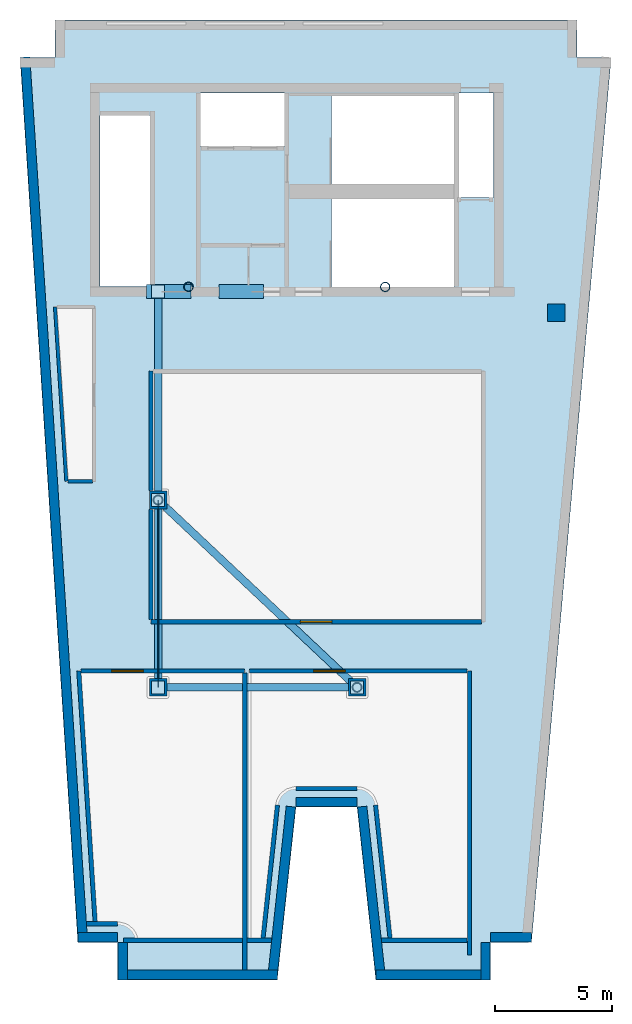
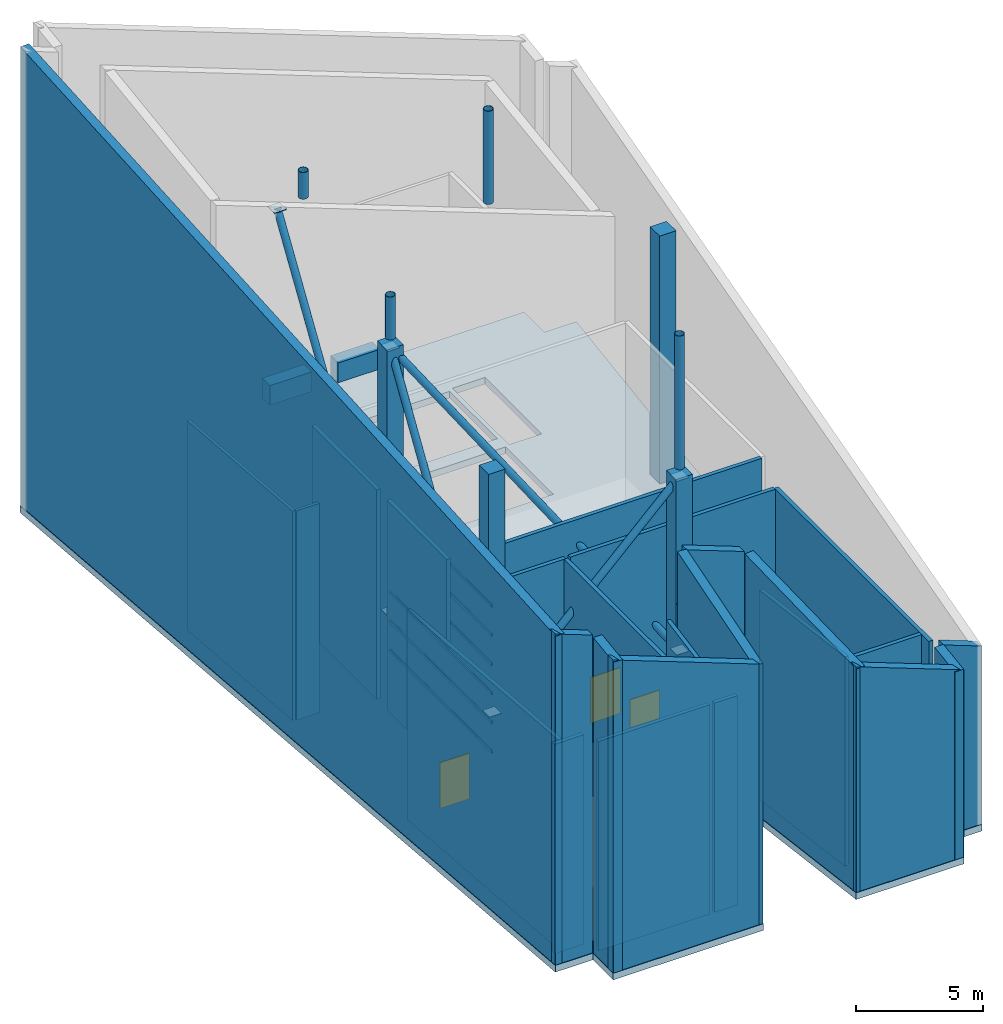
# One storey, part 1 of 3: 27 walls, 10 members, 8 columns, 6 plates, 3 doors, 2 beams, 1 slab, 3 openings.
"""IFC4 building model written with IfcOpenShell, lengths in metres."""

import ifcopenshell
import ifcopenshell.guid

model = None  # the IFC model being written
_history = None  # IfcOwnerHistory: only IFC2X3 demands one
_inside = {}  # id of a spatial element -> (the spatial element, [elements in it])
_under = {}  # id of a project, library or spatial element -> (it, [spatial elements below it])
_declared = {}  # id of a project -> (the project, [libraries it declares])
_typed = {}  # id of a type object -> (the type object, [elements of that type])
_made_of = {}  # id of a material, layer set ... -> (it, [elements and type objects made of it])


def new_model(schema):
    """Start an empty IFC model of exactly this schema.

    Asked for "IFC4X3", IfcOpenShell would pick the latest addendum, in which some entities
    have other attributes; the version numbers below select the first issue.
    IFC2X3 requires an IfcOwnerHistory on every rooted entity: one is made here for all.
    """
    global model, _history
    if schema == "IFC4X3":
        model = ifcopenshell.file(schema_version=(4, 3, 0, 0))
    else:
        model = ifcopenshell.file(schema=schema)
    _inside.clear()
    _under.clear()
    _declared.clear()
    _typed.clear()
    _made_of.clear()
    _history = None
    if model.schema == "IFC2X3":
        org = make("IfcOrganization", Name="unknown")
        user = make(
            "IfcPersonAndOrganization",
            ThePerson=make("IfcPerson", FamilyName="unknown"),
            TheOrganization=org,
        )
        app = make(
            "IfcApplication",
            ApplicationDeveloper=org,
            Version="unknown",
            ApplicationFullName="unknown",
            ApplicationIdentifier="unknown",
        )
        _history = make(
            "IfcOwnerHistory",
            OwningUser=user,
            OwningApplication=app,
            ChangeAction="ADDED",
            CreationDate=0,
        )
    return model


def make(cls, **values):
    """One entity of the class cls with the attributes given. An attribute that is None is left unset."""
    return model.create_entity(
        cls, **{name: value for name, value in values.items() if value is not None}
    )


def rooted(cls, **values):
    """An entity with a GlobalId (a new one), such as an element, a storey or a relation."""
    return make(cls, GlobalId=ifcopenshell.guid.new(), OwnerHistory=_history, **values)


def si_unit(unit_type, name, prefix=None):
    """IfcSIUnit, for example si_unit("LENGTHUNIT", "METRE", prefix="MILLI")."""
    return make("IfcSIUnit", UnitType=unit_type, Prefix=prefix, Name=name)


def assignment(units):
    """IfcUnitAssignment: the units of a project."""
    return None if units is None else make("IfcUnitAssignment", Units=units)


def point(xyz):
    """IfcCartesianPoint."""
    return None if xyz is None else make("IfcCartesianPoint", Coordinates=xyz)


def direction(xyz):
    """IfcDirection."""
    return None if xyz is None else make("IfcDirection", DirectionRatios=xyz)


def frame(location, z_axis=None, x_axis=None):
    """IfcAxis2Placement3D, a coordinate frame: its origin and axes. An axis left out is left unset."""
    return make(
        "IfcAxis2Placement3D",
        Location=point(location),
        Axis=direction(z_axis),
        RefDirection=direction(x_axis),
    )


def frame_2d(location, x_axis=None):
    """IfcAxis2Placement2D, a coordinate frame in the plane: its origin and x axis."""
    return make(
        "IfcAxis2Placement2D", Location=point(location), RefDirection=direction(x_axis)
    )


def origin():
    """The frame at (0, 0, 0) with its axes left unset."""
    return frame((0.0, 0.0, 0.0))


def origin_2d():
    """The frame at (0, 0) in the plane with its x axis left unset."""
    return frame_2d((0.0, 0.0))


def place(relative_to, where):
    """IfcLocalPlacement: puts the frame where relative to a parent placement (None: the world)."""
    return make(
        "IfcLocalPlacement", PlacementRelTo=relative_to, RelativePlacement=where
    )


def context(
    kind, dimensions, precision=None, world=None, true_north=None, identifier=None
):
    """IfcGeometricRepresentationContext, for example the 3D "Model" context."""
    return make(
        "IfcGeometricRepresentationContext",
        ContextIdentifier=identifier,
        ContextType=kind,
        CoordinateSpaceDimension=dimensions,
        Precision=precision,
        WorldCoordinateSystem=world,
        TrueNorth=true_north,
    )


def subcontext(parent, identifier, kind, view, scale=None):
    """IfcGeometricRepresentationSubContext, for example "Body" below "Model"."""
    return make(
        "IfcGeometricRepresentationSubContext",
        ContextIdentifier=identifier,
        ContextType=kind,
        ParentContext=parent,
        TargetScale=scale,
        TargetView=view,
    )


def project(units=None, contexts=None):
    """IfcProject with its units and contexts."""
    return rooted(
        "IfcProject",
        Name="project",
        RepresentationContexts=contexts,
        UnitsInContext=assignment(units),
    )


def spatial(cls, under=None, at=None, **own):
    """A site, building, storey or space (cls), placed at a placement, below another one or the project."""
    s = rooted(cls, ObjectPlacement=at, **own)
    if under is not None:
        _under.setdefault(under.id(), (under, []))[1].append(s)
    return s


def polyline(points):
    """IfcPolyline through the points."""
    return make("IfcPolyline", Points=[point(p) for p in points])


def profile(cls, at=None, kind="AREA", **sizes):
    """A parametric profile (cls). Its sizes go by their IFC names, for example OverallWidth=200.0."""
    return make(cls, ProfileType=kind, Position=at, **sizes)


def rectangle(**sizes):
    """IfcRectangleProfileDef."""
    return profile("IfcRectangleProfileDef", **sizes)


def hollow_rectangle(**sizes):
    """IfcRectangleHollowProfileDef."""
    return profile("IfcRectangleHollowProfileDef", **sizes)


def hollow_circle(**sizes):
    """IfcCircleHollowProfileDef."""
    return profile("IfcCircleHollowProfileDef", **sizes)


def outline(outer, holes=None, kind="AREA"):
    """IfcArbitraryClosedProfileDef: a profile drawn as a closed curve; with holes, ...WithVoids."""
    if holes is None:
        return make("IfcArbitraryClosedProfileDef", ProfileType=kind, OuterCurve=outer)
    return make(
        "IfcArbitraryProfileDefWithVoids",
        ProfileType=kind,
        OuterCurve=outer,
        InnerCurves=holes,
    )


def extrude(swept, where, along, depth):
    """IfcExtrudedAreaSolid: the profile swept, set in the frame where, extruded along a direction by depth."""
    return make(
        "IfcExtrudedAreaSolid",
        SweptArea=swept,
        Position=where,
        ExtrudedDirection=direction(along),
        Depth=depth,
    )


def shape(context_of_items, identifier, shape_type, items):
    """IfcShapeRepresentation: the items that make up one representation, for example the "Body"."""
    return make(
        "IfcShapeRepresentation",
        ContextOfItems=context_of_items,
        RepresentationIdentifier=identifier,
        RepresentationType=shape_type,
        Items=items,
    )


def material(Name=None, Category=None):
    """IfcMaterial."""
    return make("IfcMaterial", Name=Name, Category=Category)


def layer(
    of_material, thickness, ventilated=None, Name=None, Category=None, Priority=None
):
    """IfcMaterialLayer: one layer of a wall or slab, of a material (None: an air gap)."""
    return make(
        "IfcMaterialLayer",
        Material=of_material,
        LayerThickness=thickness,
        IsVentilated=ventilated,
        Name=Name,
        Category=Category,
        Priority=Priority,
    )


def layer_set(layers, Name=None):
    """IfcMaterialLayerSet."""
    return make("IfcMaterialLayerSet", MaterialLayers=layers, LayerSetName=Name)


def material_profile(
    of_material, cross_section, Name=None, Category=None, Priority=None
):
    """IfcMaterialProfile: a cross section and its material."""
    return make(
        "IfcMaterialProfile",
        Name=Name,
        Material=of_material,
        Profile=cross_section,
        Priority=Priority,
        Category=Category,
    )


def profile_set(profiles, Name=None, composite=None):
    """IfcMaterialProfileSet."""
    return make(
        "IfcMaterialProfileSet",
        Name=Name,
        MaterialProfiles=profiles,
        CompositeProfile=composite,
    )


def made_of(thing, what):
    """Note that an element or type object is made of a material, layer set ...; save() writes the relation."""
    if what is not None:
        _made_of.setdefault(what.id(), (what, []))[1].append(thing)
    return thing


def type_object(cls, material=None, **own):
    """A type object (cls), such as IfcWallType, which elements share."""
    return made_of(rooted(cls, **own), material)


def element(
    cls,
    number,
    at=None,
    inside=None,
    cuts=None,
    type_object=None,
    material=None,
    context=None,
    identifier="Body",
    shape_type=None,
    held_by="IfcProductDefinitionShape",
    body=None,
    shapes=None,
    **own,
):
    """One element of the class cls, such as IfcWall. Its Tag is "e" and its number.

    at: its placement. inside: the storey or other place that contains it. cuts: it is an
    opening in that element (IfcRelVoidsElement). A single representation is given by context,
    identifier, shape_type and body (its items); several are given by shapes. held_by: the class
    of the entity that holds the representations. save() writes the other relations.
    """
    e = rooted(cls, Tag="e%d" % number, ObjectPlacement=at, **own)
    if body is not None:
        shapes = [shape(context, identifier, shape_type, body)]
    if shapes is not None:
        e.Representation = make(held_by, Representations=shapes)
    if inside is not None:
        _inside.setdefault(inside.id(), (inside, []))[1].append(e)
    if cuts is not None:
        rooted(
            "IfcRelVoidsElement", RelatingBuildingElement=cuts, RelatedOpeningElement=e
        )
    if type_object is not None:
        _typed.setdefault(type_object.id(), (type_object, []))[1].append(e)
    return made_of(e, material)


def fill(opening, filler):
    """IfcRelFillsElement: the door or window that sits in an opening."""
    return rooted(
        "IfcRelFillsElement",
        RelatingOpeningElement=opening,
        RelatedBuildingElement=filler,
    )


def aggregate(whole, parts):
    """IfcRelAggregates: a whole, such as a stair, and the parts it consists of."""
    return rooted("IfcRelAggregates", RelatingObject=whole, RelatedObjects=parts)


def save(model, path):
    """Write the relations noted so far, then the file.

    IfcRelAggregates (storeys below a building ...), IfcRelContainedInSpatialStructure (elements
    in a storey), IfcRelDefinesByType, IfcRelAssociatesMaterial and IfcRelDeclares: one each for
    every whole, place, type object, material and project.
    """
    for whole, parts in _under.values():
        aggregate(whole, parts)
    for where, things in _inside.values():
        rooted(
            "IfcRelContainedInSpatialStructure",
            RelatedElements=things,
            RelatingStructure=where,
        )
    for kind, things in _typed.values():
        rooted("IfcRelDefinesByType", RelatedObjects=things, RelatingType=kind)
    for what, things in _made_of.values():
        rooted("IfcRelAssociatesMaterial", RelatedObjects=things, RelatingMaterial=what)
    for by, libraries in _declared.values():
        rooted("IfcRelDeclares", RelatingContext=by, RelatedDefinitions=libraries)
    model.write(path)


model = new_model("IFC4")

# Units and contexts
model_context = context("Model", 3, precision=1e-05, world=origin(), true_north=direction((0.0, 1.0)))
body_context = subcontext(model_context, "Body", "Model", "MODEL_VIEW")
ifc_project = project(units=[si_unit("LENGTHUNIT", "METRE"), si_unit("AREAUNIT", "SQUARE_METRE"), si_unit("VOLUMEUNIT", "CUBIC_METRE"), si_unit("PLANEANGLEUNIT", "RADIAN"), si_unit("MASSUNIT", "GRAM", prefix="KILO")], contexts=[model_context])

# Site, building, storey
site_placement = place(None, origin())
site = spatial("IfcSite", under=ifc_project, at=site_placement, CompositionType="ELEMENT")
building_placement = place(site_placement, origin())
building = spatial("IfcBuilding", under=site, at=building_placement, Name="Caeloran Harvest Quay", CompositionType="ELEMENT")
storey_placement = place(building_placement, frame((0.0, 0.0, 324.050048828125)))
storey = spatial("IfcBuildingStorey", under=building, at=storey_placement, Name="L78", CompositionType="ELEMENT", Elevation=324.050048828125)

# Columns
ifc_material_1 = material(Name="Steel S355J2", Category="steel")
ifc_material_profile_1 = material_profile(ifc_material_1, hollow_circle(Radius=0.203125, WallThickness=0.02001953125, at=origin_2d()), Name="CHS 406.4x20")
ifc_profile_set_1 = profile_set([ifc_material_profile_1], Name="Steel S355J2")
column_type_1 = type_object("IfcColumnType", Name="COL-CC-2-CHS_406.4x20", PredefinedType="COLUMN", material=ifc_profile_set_1)
column_1_placement = place(storey_placement, frame((9.800048828125, 32.10009765625, 18.26806640625), z_axis=(0.0, 0.0, 1.0), x_axis=(1.0, 0.0, 0.0)))
element("IfcColumn", 1, at=column_1_placement, inside=storey, type_object=column_type_1, Name="Crown Lantern Deck Support Post 1", PredefinedType="COLUMN", context=body_context, shape_type="SweptSolid", body=[
    extrude(hollow_circle(Radius=0.203125, WallThickness=0.02001953125, at=origin_2d()), origin(), (0.0, 0.0, 1.0), 1.281982421875),
])
column_2_placement = place(storey_placement, frame((18.199951171875, 32.10009765625, 15.075927734375), z_axis=(0.0, 0.0, 1.0), x_axis=(1.0, 0.0, 0.0)))
element("IfcColumn", 2, at=column_2_placement, inside=storey, type_object=column_type_1, Name="Crown Lantern Deck Support Post 2", PredefinedType="COLUMN", context=body_context, shape_type="SweptSolid", body=[
    extrude(hollow_circle(Radius=0.203125, WallThickness=0.02001953125, at=origin_2d()), origin(), (0.0, 0.0, 1.0), 4.47412109375),
])
column_3_placement = place(storey_placement, frame((8.5, 23.0, 17.488037109375), z_axis=(0.0, 0.0, 1.0), x_axis=(1.0, 0.0, 0.0)))
element("IfcColumn", 3, at=column_3_placement, inside=storey, type_object=column_type_1, Name="Crown Lantern Deck Support Post 3", PredefinedType="COLUMN", context=body_context, shape_type="SweptSolid", body=[
    extrude(hollow_circle(Radius=0.203125, WallThickness=0.02001953125, at=origin_2d()), origin(), (0.0, 0.0, 1.0), 2.06201171875),
])
column_4_placement = place(storey_placement, frame((17.0, 15.0, 13.137939453125), z_axis=(0.0, 0.0, 1.0), x_axis=(1.0, 0.0, 0.0)))
element("IfcColumn", 4, at=column_4_placement, inside=storey, type_object=column_type_1, Name="Crown Lantern Deck Support Post 4", PredefinedType="COLUMN", context=body_context, shape_type="SweptSolid", body=[
    extrude(hollow_circle(Radius=0.203125, WallThickness=0.02001953125, at=origin_2d()), origin(), (0.0, 0.0, 1.0), 6.412109375),
])
ifc_material_2 = material(Name="Concrete C60/75", Category="concrete")
ifc_material_profile_2 = material_profile(ifc_material_2, rectangle(XDim=0.75, YDim=0.75, at=origin_2d()), Name="RC 750x750")
ifc_profile_set_2 = profile_set([ifc_material_profile_2], Name="Concrete C60/75")
column_type_2 = type_object("IfcColumnType", Name="COL-MC-5-RC_750x750", PredefinedType="COLUMN", material=ifc_profile_set_2)
column_5_placement = place(storey_placement, frame((8.5, 15.0, 0.0), z_axis=(0.0, 0.0, 1.0), x_axis=(1.0, 0.0, 0.0)))
element("IfcColumn", 5, at=column_5_placement, inside=storey, type_object=column_type_2, Name="L78 Structural Column (8.5, 15.0)", PredefinedType="COLUMN", context=body_context, shape_type="SweptSolid", body=[
    extrude(rectangle(XDim=0.75, YDim=0.75, at=origin_2d()), origin(), (0.0, 0.0, 1.0), 16.10791015625),
])
column_6_placement = place(storey_placement, frame((8.5, 23.0, 0.0), z_axis=(0.0, 0.0, 1.0), x_axis=(1.0, 0.0, 0.0)))
element("IfcColumn", 6, at=column_6_placement, inside=storey, type_object=column_type_2, Name="L78 Structural Column (8.5, 23.0)", PredefinedType="COLUMN", context=body_context, shape_type="SweptSolid", body=[
    extrude(rectangle(XDim=0.75, YDim=0.75, at=origin_2d()), origin(), (0.0, 0.0, 1.0), 17.22802734375),
])
column_7_placement = place(storey_placement, frame((17.0, 15.0, 0.0), z_axis=(0.0, 0.0, 1.0), x_axis=(1.0, 0.0, 0.0)))
element("IfcColumn", 7, at=column_7_placement, inside=storey, type_object=column_type_2, Name="L78 Structural Column (17.0, 15.0)", PredefinedType="COLUMN", context=body_context, shape_type="SweptSolid", body=[
    extrude(rectangle(XDim=0.75, YDim=0.75, at=origin_2d()), origin(), (0.0, 0.0, 1.0), 12.8779296875),
])
column_8_placement = place(storey_placement, frame((25.5, 31.0, 0.0), z_axis=(0.0, 0.0, 1.0), x_axis=(1.0, 0.0, 0.0)))
element("IfcColumn", 8, at=column_8_placement, inside=storey, type_object=column_type_2, Name="L78 Structural Column (25.5, 31.0)", PredefinedType="COLUMN", context=body_context, shape_type="SweptSolid", body=[
    extrude(rectangle(XDim=0.75, YDim=0.75, at=origin_2d()), origin(), (0.0, 0.0, 1.0), 11.887939453125),
])

# Beams
ifc_material_profile_3 = material_profile(ifc_material_2, rectangle(XDim=0.60009765625, YDim=0.949951171875, at=origin_2d()), Name="RC 600x950")
ifc_profile_set_3 = profile_set([ifc_material_profile_3], Name="Concrete C60/75")
beam_type = type_object("IfcBeamType", Name="BM-CB-2-RC_600x950", PredefinedType="LINTEL", material=ifc_profile_set_3)
for number, where, z_axis, x_axis, name in (
    (9, (8.0, 31.89990234375, 9.64501953125), (1.0, 0.0, 0.0), (0.0, 1.0, 0.0), "L78 Core Coupling Beam 1"),
    (10, (11.10009765625, 31.89990234375, 9.64501953125), (1.0, 0.0, 0.0), (0.0, 1.0, 0.0), "L78 Core Coupling Beam 2"),
):
    element("IfcBeam", number, at=place(storey_placement, frame(where, z_axis=z_axis, x_axis=x_axis)), inside=storey, type_object=beam_type, Name=name, PredefinedType="LINTEL", context=body_context, shape_type="SweptSolid", body=[
        extrude(rectangle(XDim=0.60009765625, YDim=0.949951171875, at=origin_2d()), origin(), (0.0, 0.0, 1.0), 1.89990234375),
    ])

# Members
ifc_material_profile_4 = material_profile(ifc_material_1, hollow_circle(Radius=0.161865234375, WallThickness=0.01611328125, at=origin_2d()), Name="CHS 323.9x16")
ifc_profile_set_4 = profile_set([ifc_material_profile_4], Name="Steel S355J2")
member_type_1 = type_object("IfcMemberType", Name="MEM-CR-1-CHS_323.9x16", PredefinedType="STRUT", material=ifc_profile_set_4)
member_1_placement = place(storey_placement, frame((8.5, 15.0, 4.349853515625), z_axis=(0.0, 0.533351056735, 0.845893994706), x_axis=(-1.0, 0.0, 0.0)))
element("IfcMember", 11, at=member_1_placement, inside=storey, type_object=member_type_1, Name="CROWN FRAME Raking Tubular Strut CRK-1", PredefinedType="STRUT", context=body_context, shape_type="SweptSolid", body=[
    extrude(hollow_circle(Radius=0.161865234375, WallThickness=0.01611328125, at=origin_2d()), origin(), (0.0, 0.0, 1.0), 14.99951171875),
])
member_2_placement = place(storey_placement, frame((8.5, 15.0, 4.349853515625), z_axis=(0.713871225282, 0.0, 0.700276997847), x_axis=(0.0, 1.0, 0.0)))
element("IfcMember", 12, at=member_2_placement, inside=storey, type_object=member_type_1, Name="CROWN FRAME Raking Tubular Strut CRK-2", PredefinedType="STRUT", context=body_context, shape_type="SweptSolid", body=[
    extrude(hollow_circle(Radius=0.161865234375, WallThickness=0.01611328125, at=origin_2d()), origin(), (0.0, 0.0, 1.0), 11.906982421875),
])
member_3_placement = place(storey_placement, frame((8.5, 23.0, 4.349853515625), z_axis=(0.0, 0.538284995688, 0.842762874964), x_axis=(-1.0, 0.0, 0.0)))
element("IfcMember", 13, at=member_3_placement, inside=storey, type_object=member_type_1, Name="CROWN FRAME Raking Tubular Strut CRK-3", PredefinedType="STRUT", context=body_context, shape_type="SweptSolid", body=[
    extrude(hollow_circle(Radius=0.161865234375, WallThickness=0.01611328125, at=origin_2d()), origin(), (0.0, 0.0, 1.0), 16.53369140625),
])
member_4_placement = place(storey_placement, frame((17.0, 15.0, 4.349853515625), z_axis=(-0.493024973125, 0.464023504117, 0.735940597808), x_axis=(-0.685364699005, -0.728199992693, 0.0)))
element("IfcMember", 14, at=member_4_placement, inside=storey, type_object=member_type_1, Name="CROWN FRAME Raking Tubular Strut CRK-4", PredefinedType="STRUT", context=body_context, shape_type="SweptSolid", body=[
    extrude(hollow_circle(Radius=0.161865234375, WallThickness=0.01611328125, at=origin_2d()), origin(), (0.0, 0.0, 1.0), 17.240478515625),
])
ifc_material_profile_5 = material_profile(ifc_material_1, hollow_rectangle(XDim=0.06494140625, YDim=0.159912109375, WallThickness=0.0048828125, InnerFilletRadius=0.0048828125, OuterFilletRadius=0.007568359375, at=origin_2d()), Name="RHS 160x65x5")
ifc_profile_set_5 = profile_set([ifc_material_profile_5], Name="Steel S355J2")
member_type_2 = type_object("IfcMemberType", Name="MEM-CR-3-RHS_160x65x5", PredefinedType="MEMBER", material=ifc_profile_set_5)
for number, where, z_axis, x_axis, name in (
    (15, (8.5, 15.0, 2.449951171875), (0.0, 1.0, 0.0), (-1.0, 0.0, 0.0), "CROWN FRAME Screen Framing Member 1"),
    (16, (8.5, 15.0, 3.849853515625), (0.0, 1.0, 0.0), (-1.0, 0.0, 0.0), "CROWN FRAME Screen Framing Member 2"),
    (17, (8.5, 15.0, 5.25), (0.0, 1.0, 0.0), (-1.0, 0.0, 0.0), "CROWN FRAME Screen Framing Member 3"),
    (18, (8.5, 15.0, 6.64990234375), (0.0, 1.0, 0.0), (-1.0, 0.0, 0.0), "CROWN FRAME Screen Framing Member 4"),
    (19, (8.5, 15.0, 8.050048828125), (0.0, 1.0, 0.0), (-1.0, 0.0, 0.0), "CROWN FRAME Screen Framing Member 5"),
    (20, (8.5, 15.0, 9.449951171875), (0.0, 1.0, 0.0), (-1.0, 0.0, 0.0), "CROWN FRAME Screen Framing Member 6"),
):
    element("IfcMember", number, at=place(storey_placement, frame(where, z_axis=z_axis, x_axis=x_axis)), inside=storey, type_object=member_type_2, Name=name, PredefinedType="MEMBER", context=body_context, shape_type="SweptSolid", body=[
        extrude(hollow_rectangle(XDim=0.06494140625, YDim=0.159912109375, WallThickness=0.0048828125, InnerFilletRadius=0.0048828125, OuterFilletRadius=0.007568359375, at=origin_2d()), origin(), (0.0, 0.0, 1.0), 8.0),
    ])

# Plates
ifc_material_3 = material(Name="Steel HISTAR 460", Category="steel")
ifc_layer_1 = layer(ifc_material_3, 0.034912109375, Name="Steel HISTAR 460")
ifc_layer_set_1 = layer_set([ifc_layer_1], Name="Steel HISTAR 460")
plate_type = type_object("IfcPlateType", Name="PLT-KN1-35MM", PredefinedType="SHEET", material=ifc_layer_set_1)
for number, where, z_axis, x_axis, name in (
    (21, (8.5, 15.0, 4.33251953125), (0.0, 0.0, 1.0), (1.0, 0.0, 0.0), "CROWN FRAME Raking Strut End Cap Plate CRK-1 BOT"),
    (22, (8.5, 23.0, 17.0205078125), (0.0, 0.0, 1.0), (1.0, 0.0, 0.0), "CROWN FRAME Raking Strut End Cap Plate CRK-1 TOP"),
    (23, (17.0, 15.0, 12.67041015625), (0.0, 0.0, 1.0), (1.0, 0.0, 0.0), "CROWN FRAME Raking Strut End Cap Plate CRK-2 TOP"),
    (24, (8.5, 23.0, 4.33251953125), (0.0, 0.0, 1.0), (1.0, 0.0, 0.0), "CROWN FRAME Raking Strut End Cap Plate CRK-3 BOT"),
    (25, (8.5, 31.89990234375, 18.2666015625), (0.0, 0.0, 1.0), (1.0, 0.0, 0.0), "CROWN FRAME Raking Strut End Cap Plate CRK-3 TOP"),
    (26, (17.0, 15.0, 4.33251953125), (0.0, 0.0, 1.0), (1.0, 0.0, 0.0), "CROWN FRAME Raking Strut End Cap Plate CRK-4 BOT"),
):
    element("IfcPlate", number, at=place(storey_placement, frame(where, z_axis=z_axis, x_axis=x_axis)), inside=storey, type_object=plate_type, Name=name, PredefinedType="SHEET", context=body_context, shape_type="SweptSolid", body=[
        extrude(rectangle(XDim=0.550048828125, YDim=0.550048828125, at=origin_2d()), origin(), (0.0, 0.0, 1.0), 0.034912109375),
    ])

# Slab
ifc_material_4 = material(Name="Concrete C50/60", Category="concrete")
ifc_layer_2 = layer(ifc_material_4, 0.320068359375, Name="Concrete C50/60")
ifc_layer_set_2 = layer_set([ifc_layer_2], Name="Concrete C50/60")
slab_type = type_object("IfcSlabType", Name="SLAB-FS-320", PredefinedType="FLOOR", material=ifc_layer_set_2)
slab_placement = place(storey_placement, frame((0.0, 0.0, -0.320068359375)))
element("IfcSlab", 27, at=slab_placement, inside=storey, type_object=slab_type, Name="L78 Structural Floor Slab", PredefinedType="FLOOR", context=body_context, shape_type="SweptSolid", body=[
    extrude(outline(polyline([(6.777587890625, 2.5), (13.592529296875, 2.5), (14.392578125, 9.8798828125), (17.0, 9.8798828125), (17.800048828125, 2.5), (22.702392578125, 2.5), (22.702392578125, 4.10009765625), (24.44677734375, 4.10009765625), (27.855712890625, 41.89990234375), (26.39990234375, 41.89990234375), (26.39990234375, 43.5), (4.10009765625, 43.5), (4.10009765625, 41.89990234375), (2.6044921875, 41.89990234375), (5.072998046875, 4.10009765625), (6.777587890625, 4.10009765625), (6.777587890625, 2.5)]), holes=[polyline([(21.14990234375, 32.10009765625), (15.89990234375, 32.10009765625), (15.89990234375, 35.85009765625), (21.14990234375, 35.85009765625), (21.14990234375, 32.10009765625)]), polyline([(8.159912109375, 39.419921875), (8.159912109375, 32.1201171875), (6.02001953125, 32.1201171875), (6.02001953125, 39.419921875), (8.159912109375, 39.419921875)]), polyline([(22.830078125, 40.3798828125), (22.830078125, 35.919921875), (21.35009765625, 35.919921875), (21.35009765625, 40.3798828125), (22.830078125, 40.3798828125)]), polyline([(15.89990234375, 36.5), (15.89990234375, 40.25), (21.14990234375, 40.25), (21.14990234375, 36.5), (15.89990234375, 36.5)]), polyline([(13.89990234375, 38.1201171875), (10.320068359375, 38.1201171875), (10.320068359375, 40.3798828125), (13.89990234375, 40.3798828125), (13.89990234375, 38.1201171875)])]), origin(), (0.0, 0.0, 1.0), 0.320068359375),
])

# Walls
ifc_material_5 = material(Name="Moisture-Resistant Cement-Board Sanitary Partition", Category="gypsum")
ifc_layer_3 = layer(ifc_material_5, 0.139892578125, Name="Moisture-Resistant Cement-Board Sanitary Partition")
ifc_layer_set_3 = layer_set([ifc_layer_3], Name="Moisture-Resistant Cement-Board Sanitary Partition")
wall_type_1 = type_object("IfcWallType", Name="INT-WALL-PW-140", PredefinedType="PARTITIONING", material=ifc_layer_set_3)
wall_1_placement = place(storey_placement, frame((4.587890625, 23.800048828125, 0.0), z_axis=(0.0, 0.0, 1.0), x_axis=(-0.06507559791, 0.997880336792, 0.0)))
element("IfcWall", 28, at=wall_1_placement, inside=storey, type_object=wall_type_1, Name="L78 Maintenance Staff Accessible WC Partition Wall", PredefinedType="PARTITIONING", context=body_context, shape_type="SweptSolid", body=[
    extrude(rectangle(XDim=7.4658203125, YDim=0.139892578125, at=frame_2d((3.73291015625, 0.0))), origin(), (0.0, 0.0, 1.0), 10.050048828125),
])
wall_2_placement = place(storey_placement, frame((5.705078125, 23.800048828125, 0.0), z_axis=(0.0, 0.0, 1.0), x_axis=(-1.0, 0.0, 0.0)))
element("IfcWall", 29, at=wall_2_placement, inside=storey, type_object=wall_type_1, Name="L78 Maintenance Staff Accessible WC Partition Wall", PredefinedType="PARTITIONING", context=body_context, shape_type="SweptSolid", body=[
    extrude(rectangle(XDim=1.045166015625, YDim=0.139892578125, at=frame_2d((0.5224609375, 0.0))), origin(), (0.0, 0.0, 1.0), 10.050048828125),
])

# Wall, opening, door
ifc_material_6 = material(Name="Autoclaved Aerated Concrete Blockwork", Category="masonry")
ifc_layer_4 = layer(ifc_material_6, 0.179931640625, Name="Autoclaved Aerated Concrete Blockwork")
ifc_layer_set_4 = layer_set([ifc_layer_4], Name="Autoclaved Aerated Concrete Blockwork")
wall_type_2 = type_object("IfcWallType", Name="INT-WALL-PW-180", PredefinedType="PARTITIONING", material=ifc_layer_set_4)
wall_3_placement = place(storey_placement, frame((22.304931640625, 17.800048828125, 0.0), z_axis=(0.0, 0.0, 1.0), x_axis=(-1.0, 0.0, 0.0)))
wall_3 = element("IfcWall", 30, at=wall_3_placement, inside=storey, type_object=wall_type_2, Name="Crown Rainwater Harvesting Storage and Gravity Header Tank Room Partition Wall", PredefinedType="PARTITIONING", context=body_context, shape_type="SweptSolid", body=[
    extrude(rectangle(XDim=14.10498046875, YDim=0.179931640625, at=frame_2d((7.052490234375, 0.0))), origin(), (0.0, 0.0, 1.0), 10.050048828125),
])
opening_1_placement = place(wall_3_placement, frame((6.37744140625, 0.0, 0.0)))
opening_1 = element("IfcOpeningElement", 31, at=opening_1_placement, cuts=wall_3, Name="Opening ID-02", PredefinedType="OPENING", context=body_context, shape_type="SweptSolid", body=[
    extrude(rectangle(XDim=1.35009765625, YDim=2.199951171875, at=frame_2d((0.675048828125, 1.10009765625))), frame((0.0, 0.10009765625, 0.0), z_axis=(0.0, -1.0, 0.0), x_axis=(1.0, 0.0, 0.0)), (0.0, 0.0, 1.0), 0.199951171875),
])
ifc_material_7 = material(Name="Powder-Coated Steel Acoustic Leaf", Category="steel")
door_type = type_object("IfcDoorType", Name="INTDOOR-ID-02", OperationType="NOTDEFINED", PredefinedType="DOOR", material=ifc_material_7)
door_1_placement = place(opening_1_placement, origin())
door_1 = element("IfcDoor", 32, at=door_1_placement, inside=storey, type_object=door_type, Name="Crown Rainwater Harvesting Storage and Gravity Header Tank Room Access Door", OperationType="SINGLE_SWING_RIGHT", OverallHeight=2.199951171875, OverallWidth=1.35009765625, PredefinedType="DOOR", context=body_context, shape_type="SweptSolid", body=[
    extrude(rectangle(XDim=1.35009765625, YDim=2.199951171875, at=frame_2d((0.675048828125, 1.10009765625))), frame((0.0, 0.02490234375, 0.0), z_axis=(0.0, -1.0, 0.0), x_axis=(1.0, 0.0, 0.0)), (0.0, 0.0, 1.0), 0.050048828125),
])
fill(opening_1, door_1)

# Walls
wall_4_placement = place(storey_placement, frame((8.199951171875, 17.89501953125, 0.0), z_axis=(0.0, 0.0, 1.0), x_axis=(0.0, 1.0, 0.0)))
element("IfcWall", 33, at=wall_4_placement, inside=storey, type_object=wall_type_2, Name="Crown Rainwater Harvesting Storage and Gravity Header Tank Room Partition Wall", PredefinedType="PARTITIONING", context=body_context, shape_type="SweptSolid", body=[
    extrude(rectangle(XDim=4.705078125, YDim=0.179931640625, at=frame_2d((2.3525390625, 0.0))), origin(), (0.0, 0.0, 1.0), 10.050048828125),
])
wall_5_placement = place(storey_placement, frame((8.199951171875, 23.39990234375, 0.0), z_axis=(0.0, 0.0, 1.0), x_axis=(0.0, 1.0, 0.0)))
element("IfcWall", 34, at=wall_5_placement, inside=storey, type_object=wall_type_2, Name="Crown Rainwater Harvesting Storage and Gravity Header Tank Room Partition Wall", PredefinedType="PARTITIONING", context=body_context, shape_type="SweptSolid", body=[
    extrude(rectangle(XDim=5.10009765625, YDim=0.179931640625, at=frame_2d((2.550048828125, 0.0))), origin(), (0.0, 0.0, 1.0), 10.050048828125),
])
wall_6_placement = place(storey_placement, frame((6.777099609375, 4.89990234375, 0.0), z_axis=(0.0, 0.0, 1.0), x_axis=(-1.0, 0.0, 0.0)))
element("IfcWall", 35, at=wall_6_placement, inside=storey, type_object=wall_type_2, Name="Crown High-Zone Chiller Heat-Recovery and AHU Plant Room Partition Wall", PredefinedType="PARTITIONING", context=body_context, shape_type="SweptSolid", body=[
    extrude(rectangle(XDim=1.33056640625, YDim=0.179931640625, at=frame_2d((0.665283203125, 0.0))), origin(), (0.0, 0.0, 1.0), 10.050048828125),
])
wall_7_placement = place(storey_placement, frame((5.81591796875, 4.9951171875, 0.0), z_axis=(0.0, 0.0, 1.0), x_axis=(-0.065156482611, 0.997875058699, 0.0)))
element("IfcWall", 36, at=wall_7_placement, inside=storey, type_object=wall_type_2, Name="Crown High-Zone Chiller Heat-Recovery and AHU Plant Room Partition Wall", PredefinedType="PARTITIONING", context=body_context, shape_type="SweptSolid", body=[
    extrude(rectangle(XDim=10.7275390625, YDim=0.179931640625, at=frame_2d((5.36376953125, 0.0))), origin(), (0.0, 0.0, 1.0), 10.050048828125),
])

# Wall, opening, door
wall_8_placement = place(storey_placement, frame((5.212158203125, 15.699951171875, 0.0), z_axis=(0.0, 0.0, 1.0), x_axis=(1.0, 0.0, 0.0)))
wall_8 = element("IfcWall", 37, at=wall_8_placement, inside=storey, type_object=wall_type_2, Name="Crown High-Zone Chiller Heat-Recovery and AHU Plant Room Partition Wall", PredefinedType="PARTITIONING", context=body_context, shape_type="SweptSolid", body=[
    extrude(rectangle(XDim=6.98779296875, YDim=0.179931640625, at=frame_2d((3.493896484375, 0.0))), origin(), (0.0, 0.0, 1.0), 10.050048828125),
])
opening_2_placement = place(wall_8_placement, frame((1.3076171875, 0.0, 0.0)))
opening_2 = element("IfcOpeningElement", 38, at=opening_2_placement, cuts=wall_8, Name="Opening ID-02", PredefinedType="OPENING", context=body_context, shape_type="SweptSolid", body=[
    extrude(rectangle(XDim=1.35009765625, YDim=2.199951171875, at=frame_2d((0.675048828125, 1.10009765625))), frame((0.0, 0.10009765625, 0.0), z_axis=(0.0, -1.0, 0.0), x_axis=(1.0, 0.0, 0.0)), (0.0, 0.0, 1.0), 0.199951171875),
])
door_2_placement = place(opening_2_placement, origin())
door_2 = element("IfcDoor", 39, at=door_2_placement, inside=storey, type_object=door_type, Name="Crown High-Zone Chiller Heat-Recovery and AHU Plant Room Access Door", OperationType="SINGLE_SWING_LEFT", OverallHeight=2.199951171875, OverallWidth=1.35009765625, PredefinedType="DOOR", context=body_context, shape_type="SweptSolid", body=[
    extrude(rectangle(XDim=1.35009765625, YDim=2.199951171875, at=frame_2d((0.675048828125, 1.10009765625))), frame((0.0, 0.02490234375, 0.0), z_axis=(0.0, -1.0, 0.0), x_axis=(1.0, 0.0, 0.0)), (0.0, 0.0, 1.0), 0.050048828125),
])
fill(opening_2, door_2)

# Walls
wall_9_placement = place(storey_placement, frame((12.199951171875, 15.60498046875, 0.0), z_axis=(0.0, 0.0, 1.0), x_axis=(0.0, -1.0, 0.0)))
element("IfcWall", 40, at=wall_9_placement, inside=storey, type_object=wall_type_2, Name="Crown High-Zone Chiller Heat-Recovery and AHU Plant Room Partition Wall", PredefinedType="PARTITIONING", context=body_context, shape_type="SweptSolid", body=[
    extrude(rectangle(XDim=12.679931640625, YDim=0.179931640625, at=frame_2d((6.33984375, 0.0))), origin(), (0.0, 0.0, 1.0), 10.050048828125),
])
wall_10_placement = place(storey_placement, frame((13.349365234375, 4.199951171875, 0.0), z_axis=(0.0, 0.0, 1.0), x_axis=(-1.0, 0.0, 0.0)))
element("IfcWall", 41, at=wall_10_placement, inside=storey, type_object=wall_type_2, Name="Crown High-Zone Chiller Heat-Recovery and AHU Plant Room Partition Wall", PredefinedType="PARTITIONING", context=body_context, shape_type="SweptSolid", body=[
    extrude(rectangle(XDim=1.054443359375, YDim=0.179931640625, at=frame_2d((0.52734375, 0.0))), origin(), (0.0, 0.0, 1.0), 10.050048828125),
])
wall_11_placement = place(storey_placement, frame((12.10498046875, 4.199951171875, 0.0), z_axis=(0.0, 0.0, 1.0), x_axis=(-1.0, 0.0, 0.0)))
element("IfcWall", 42, at=wall_11_placement, inside=storey, type_object=wall_type_2, Name="Crown High-Zone Chiller Heat-Recovery and AHU Plant Room Partition Wall", PredefinedType="PARTITIONING", context=body_context, shape_type="SweptSolid", body=[
    extrude(rectangle(XDim=5.07080078125, YDim=0.179931640625, at=frame_2d((2.535400390625, 0.0))), origin(), (0.0, 0.0, 1.0), 10.050048828125),
])
wall_12_placement = place(storey_placement, frame((21.800048828125, 15.699951171875, 0.0), z_axis=(0.0, 0.0, 1.0), x_axis=(0.0, -1.0, 0.0)))
element("IfcWall", 43, at=wall_12_placement, inside=storey, type_object=wall_type_2, Name="Crown Emergency Switchboard and Atrium Smoke-Extract Fan Room Partition Wall", PredefinedType="PARTITIONING", context=body_context, shape_type="SweptSolid", body=[
    extrude(rectangle(XDim=12.142822265625, YDim=0.179931640625, at=frame_2d((6.0712890625, 0.0))), origin(), (0.0, 0.0, 1.0), 10.050048828125),
])
wall_13_placement = place(storey_placement, frame((21.705078125, 4.199951171875, 0.0), z_axis=(0.0, 0.0, 1.0), x_axis=(-1.0, 0.0, 0.0)))
element("IfcWall", 44, at=wall_13_placement, inside=storey, type_object=wall_type_2, Name="Crown Emergency Switchboard and Atrium Smoke-Extract Fan Room Partition Wall", PredefinedType="PARTITIONING", context=body_context, shape_type="SweptSolid", body=[
    extrude(rectangle(XDim=3.661865234375, YDim=0.179931640625, at=frame_2d((1.8310546875, 0.0))), origin(), (0.0, 0.0, 1.0), 10.050048828125),
])
wall_14_placement = place(storey_placement, frame((18.40966796875, 4.294921875, 0.0), z_axis=(0.0, 0.0, 1.0), x_axis=(-0.107767679698, 0.994176104728, 0.0)))
element("IfcWall", 45, at=wall_14_placement, inside=storey, type_object=wall_type_2, Name="Crown Emergency Switchboard and Atrium Smoke-Extract Fan Room Partition Wall", PredefinedType="PARTITIONING", context=body_context, shape_type="SweptSolid", body=[
    extrude(rectangle(XDim=5.704345703125, YDim=0.179931640625, at=frame_2d((2.85205078125, 0.0))), origin(), (0.0, 0.0, 1.0), 10.050048828125),
])
wall_15_placement = place(storey_placement, frame((17.0, 10.679931640625, 0.0), z_axis=(0.0, 0.0, 1.0), x_axis=(-1.0, 0.0, 0.0)))
element("IfcWall", 46, at=wall_15_placement, inside=storey, type_object=wall_type_2, Name="Crown Emergency Switchboard and Atrium Smoke-Extract Fan Room Partition Wall", PredefinedType="PARTITIONING", context=body_context, shape_type="SweptSolid", body=[
    extrude(rectangle(XDim=2.60693359375, YDim=0.179931640625, at=frame_2d((1.303466796875, 0.0))), origin(), (0.0, 0.0, 1.0), 10.050048828125),
])
wall_16_placement = place(storey_placement, frame((13.596923828125, 9.966064453125, 0.0), z_axis=(0.0, 0.0, 1.0), x_axis=(-0.107725377547, -0.994180689328, 0.0)))
element("IfcWall", 47, at=wall_16_placement, inside=storey, type_object=wall_type_2, Name="Crown Emergency Switchboard and Atrium Smoke-Extract Fan Room Partition Wall", PredefinedType="PARTITIONING", context=body_context, shape_type="SweptSolid", body=[
    extrude(rectangle(XDim=5.704345703125, YDim=0.179931640625, at=frame_2d((2.85205078125, 0.0))), origin(), (0.0, 0.0, 1.0), 10.050048828125),
])

# Wall, opening, door
wall_17_placement = place(storey_placement, frame((12.39990234375, 15.699951171875, 0.0), z_axis=(0.0, 0.0, 1.0), x_axis=(1.0, 0.0, 0.0)))
wall_17 = element("IfcWall", 48, at=wall_17_placement, inside=storey, type_object=wall_type_2, Name="Crown Emergency Switchboard and Atrium Smoke-Extract Fan Room Partition Wall", PredefinedType="PARTITIONING", context=body_context, shape_type="SweptSolid", body=[
    extrude(rectangle(XDim=9.30517578125, YDim=0.179931640625, at=frame_2d((4.652587890625, 0.0))), origin(), (0.0, 0.0, 1.0), 10.050048828125),
])
opening_3_placement = place(wall_17_placement, frame((2.7431640625, 0.0, 0.0)))
opening_3 = element("IfcOpeningElement", 49, at=opening_3_placement, cuts=wall_17, Name="Opening ID-02", PredefinedType="OPENING", context=body_context, shape_type="SweptSolid", body=[
    extrude(rectangle(XDim=1.35009765625, YDim=2.199951171875, at=frame_2d((0.675048828125, 1.10009765625))), frame((0.0, 0.10009765625, 0.0), z_axis=(0.0, -1.0, 0.0), x_axis=(1.0, 0.0, 0.0)), (0.0, 0.0, 1.0), 0.199951171875),
])
door_3_placement = place(opening_3_placement, origin())
door_3 = element("IfcDoor", 50, at=door_3_placement, inside=storey, type_object=door_type, Name="Crown Emergency Switchboard and Atrium Smoke-Extract Fan Room Access Door", OperationType="SINGLE_SWING_RIGHT", OverallHeight=2.199951171875, OverallWidth=1.35009765625, PredefinedType="DOOR", context=body_context, shape_type="SweptSolid", body=[
    extrude(rectangle(XDim=1.35009765625, YDim=2.199951171875, at=frame_2d((0.675048828125, 1.10009765625))), frame((0.0, 0.02490234375, 0.0), z_axis=(0.0, -1.0, 0.0), x_axis=(1.0, 0.0, 0.0)), (0.0, 0.0, 1.0), 0.050048828125),
])
fill(opening_3, door_3)

# Walls
ifc_layer_5 = layer(ifc_material_2, 0.39990234375, Name="Concrete C60/75")
ifc_layer_set_5 = layer_set([ifc_layer_5], Name="Concrete C60/75")
wall_type_3 = type_object("IfcWallType", Name="STR-WALL-CW-400", PredefinedType="SHEAR", material=ifc_layer_set_5)
wall_18_placement = place(storey_placement, frame((6.777587890625, 2.719970703125, 0.0), z_axis=(0.0, 0.0, 1.0), x_axis=(1.0, 0.0, 0.0)))
element("IfcWall", 51, at=wall_18_placement, inside=storey, type_object=wall_type_3, Name="CROWN FRAME Sloped Architectural Concrete Enclosure Wall 1", PredefinedType="SHEAR", context=body_context, shape_type="SweptSolid", body=[
    extrude(outline(polyline([(0.0, 0.0), (6.81494140625, 0.0), (6.81494140625, 12.43359375), (0.0, 15.023193359375), (0.0, 0.0)])), frame((0.0, 0.199951171875, 0.0), z_axis=(0.0, -1.0, 0.0), x_axis=(1.0, 0.0, 0.0)), (0.0, 0.0, 1.0), 0.39990234375),
])
wall_19_placement = place(storey_placement, frame((13.373779296875, 2.523681640625, 0.0), z_axis=(0.0, 0.0, 1.0), x_axis=(0.107774412108, 0.994175374919, 0.0)))
element("IfcWall", 52, at=wall_19_placement, inside=storey, type_object=wall_type_3, Name="CROWN FRAME Sloped Architectural Concrete Enclosure Wall 2", PredefinedType="SHEAR", context=body_context, shape_type="SweptSolid", body=[
    extrude(outline(polyline([(0.0, 0.0), (7.42333984375, 0.0), (7.423095703125, 13.218505859375), (0.0, 12.4892578125), (0.0, 0.0)])), frame((0.0, 0.199951171875, 0.0), z_axis=(0.0, -1.0, 0.0), x_axis=(1.0, 0.0, 0.0)), (0.0, 0.0, 1.0), 0.39990234375),
])
wall_20_placement = place(storey_placement, frame((14.392578125, 10.10009765625, 0.0), z_axis=(0.0, 0.0, 1.0), x_axis=(1.0, 0.0, 0.0)))
element("IfcWall", 53, at=wall_20_placement, inside=storey, type_object=wall_type_3, Name="CROWN FRAME Sloped Architectural Concrete Enclosure Wall 3", PredefinedType="SHEAR", context=body_context, shape_type="SweptSolid", body=[
    extrude(outline(polyline([(0.0, 0.0), (2.607421875, 0.0), (2.607421875, 12.171875), (0.0, 13.162841796875), (0.0, 0.0)])), frame((0.0, 0.199951171875, 0.0), z_axis=(0.0, -1.0, 0.0), x_axis=(1.0, 0.0, 0.0)), (0.0, 0.0, 1.0), 0.39990234375),
])
wall_21_placement = place(storey_placement, frame((17.21875, 9.90380859375, 0.0), z_axis=(0.0, 0.0, 1.0), x_axis=(0.107774412108, -0.994175374919, 0.0)))
element("IfcWall", 54, at=wall_21_placement, inside=storey, type_object=wall_type_3, Name="CROWN FRAME Sloped Architectural Concrete Enclosure Wall 4", PredefinedType="SHEAR", context=body_context, shape_type="SweptSolid", body=[
    extrude(outline(polyline([(0.0, 0.0), (7.42333984375, 0.0), (7.423095703125, 10.72412109375), (0.0, 12.061279296875), (0.0, 0.0)])), frame((0.0, 0.199951171875, 0.0), z_axis=(0.0, -1.0, 0.0), x_axis=(1.0, 0.0, 0.0)), (0.0, 0.0, 1.0), 0.39990234375),
])
wall_22_placement = place(storey_placement, frame((17.800048828125, 2.719970703125, 0.0), z_axis=(0.0, 0.0, 1.0), x_axis=(1.0, 0.0, 0.0)))
element("IfcWall", 55, at=wall_22_placement, inside=storey, type_object=wall_type_3, Name="CROWN FRAME Sloped Architectural Concrete Enclosure Wall 5", PredefinedType="SHEAR", context=body_context, shape_type="SweptSolid", body=[
    extrude(outline(polyline([(0.0, 0.0), (4.90234375, 0.0), (4.902587890625, 8.971923828125), (0.0, 10.834716796875), (0.0, 0.0)])), frame((0.0, 0.199951171875, 0.0), z_axis=(0.0, -1.0, 0.0), x_axis=(1.0, 0.0, 0.0)), (0.0, 0.0, 1.0), 0.39990234375),
])
wall_23_placement = place(storey_placement, frame((22.482421875, 2.5, 0.0), z_axis=(0.0, 0.0, 1.0), x_axis=(0.0, 1.0, 0.0)))
element("IfcWall", 56, at=wall_23_placement, inside=storey, type_object=wall_type_3, Name="CROWN FRAME Sloped Architectural Concrete Enclosure Wall 6", PredefinedType="SHEAR", context=body_context, shape_type="SweptSolid", body=[
    extrude(outline(polyline([(0.0, 0.0), (1.60009765625, 0.0), (1.60009765625, 9.24853515625), (0.0, 9.024658203125), (0.0, 0.0)])), frame((0.0, 0.199951171875, 0.0), z_axis=(0.0, -1.0, 0.0), x_axis=(1.0, 0.0, 0.0)), (0.0, 0.0, 1.0), 0.39990234375),
])
wall_24_placement = place(storey_placement, frame((22.702392578125, 4.320068359375, 0.0), z_axis=(0.0, 0.0, 1.0), x_axis=(1.0, 0.0, 0.0)))
element("IfcWall", 57, at=wall_24_placement, inside=storey, type_object=wall_type_3, Name="CROWN FRAME Sloped Architectural Concrete Enclosure Wall 7", PredefinedType="SHEAR", context=body_context, shape_type="SweptSolid", body=[
    extrude(outline(polyline([(0.0, 0.0), (1.744384765625, 0.0), (1.744384765625, 8.532958984375), (0.0, 9.19580078125), (0.0, 0.0)])), frame((0.0, 0.199951171875, 0.0), z_axis=(0.0, -1.0, 0.0), x_axis=(1.0, 0.0, 0.0)), (0.0, 0.0, 1.0), 0.39990234375),
])
wall_25_placement = place(storey_placement, frame((2.823974609375, 41.914306640625, 0.0), z_axis=(0.0, 0.0, 1.0), x_axis=(0.065165497204, -0.997874470048, 0.0)))
element("IfcWall", 58, at=wall_25_placement, inside=storey, type_object=wall_type_3, Name="CROWN FRAME Sloped Architectural Concrete Enclosure Wall 14", PredefinedType="SHEAR", context=body_context, shape_type="SweptSolid", body=[
    extrude(outline(polyline([(0.0, 0.0), (37.880615234375, 0.0), (37.880615234375, 15.782958984375), (0.0, 22.012939453125), (0.0, 0.0)])), frame((0.0, 0.199951171875, 0.0), z_axis=(0.0, -1.0, 0.0), x_axis=(1.0, 0.0, 0.0)), (0.0, 0.0, 1.0), 0.39990234375),
])
wall_26_placement = place(storey_placement, frame((5.072998046875, 4.320068359375, 0.0), z_axis=(0.0, 0.0, 1.0), x_axis=(1.0, 0.0, 0.0)))
element("IfcWall", 59, at=wall_26_placement, inside=storey, type_object=wall_type_3, Name="CROWN FRAME Sloped Architectural Concrete Enclosure Wall 15", PredefinedType="SHEAR", context=body_context, shape_type="SweptSolid", body=[
    extrude(outline(polyline([(0.0, 0.0), (1.70458984375, 0.0), (1.70458984375, 15.247314453125), (0.0, 15.89501953125), (0.0, 0.0)])), frame((0.0, 0.199951171875, 0.0), z_axis=(0.0, -1.0, 0.0), x_axis=(1.0, 0.0, 0.0)), (0.0, 0.0, 1.0), 0.39990234375),
])
wall_27_placement = place(storey_placement, frame((6.99755859375, 4.10009765625, 0.0), z_axis=(0.0, 0.0, 1.0), x_axis=(0.0, -1.0, 0.0)))
element("IfcWall", 60, at=wall_27_placement, inside=storey, type_object=wall_type_3, Name="CROWN FRAME Sloped Architectural Concrete Enclosure Wall 16", PredefinedType="SHEAR", context=body_context, shape_type="SweptSolid", body=[
    extrude(outline(polyline([(0.0, 0.0), (1.60009765625, 0.0), (1.60009765625, 14.908935546875), (0.0, 15.1328125), (0.0, 0.0)])), frame((0.0, 0.199951171875, 0.0), z_axis=(0.0, -1.0, 0.0), x_axis=(1.0, 0.0, 0.0)), (0.0, 0.0, 1.0), 0.39990234375),
])

save(model, "model.ifc")
